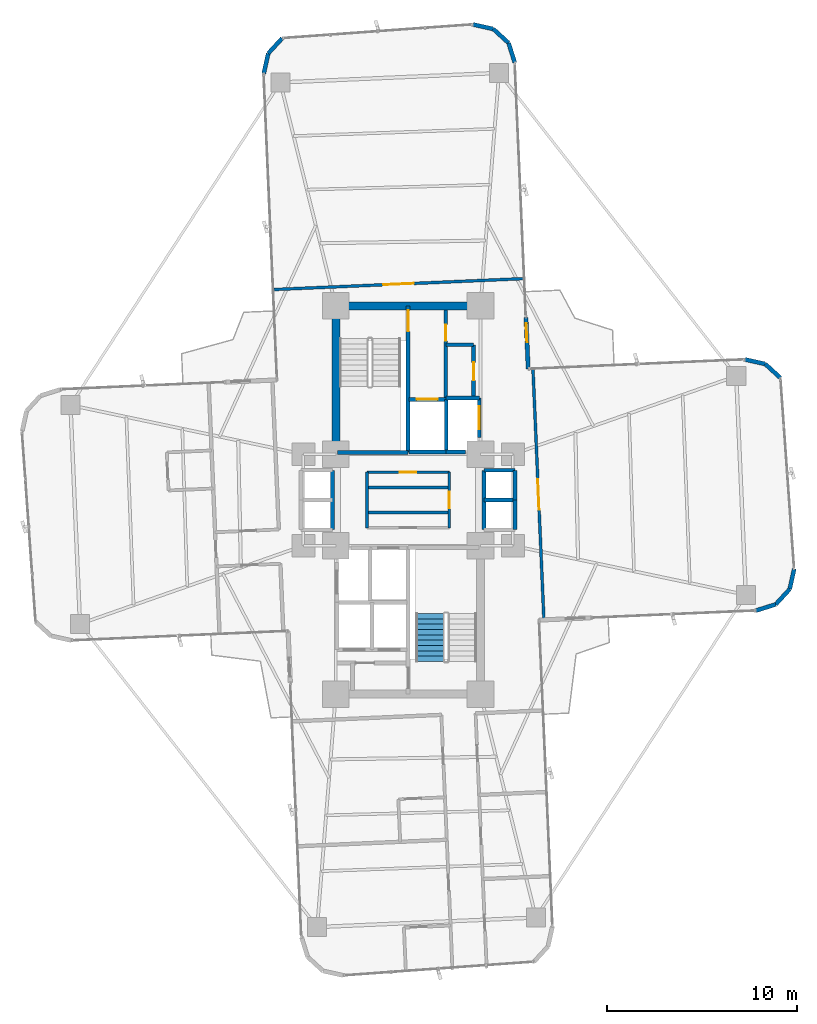
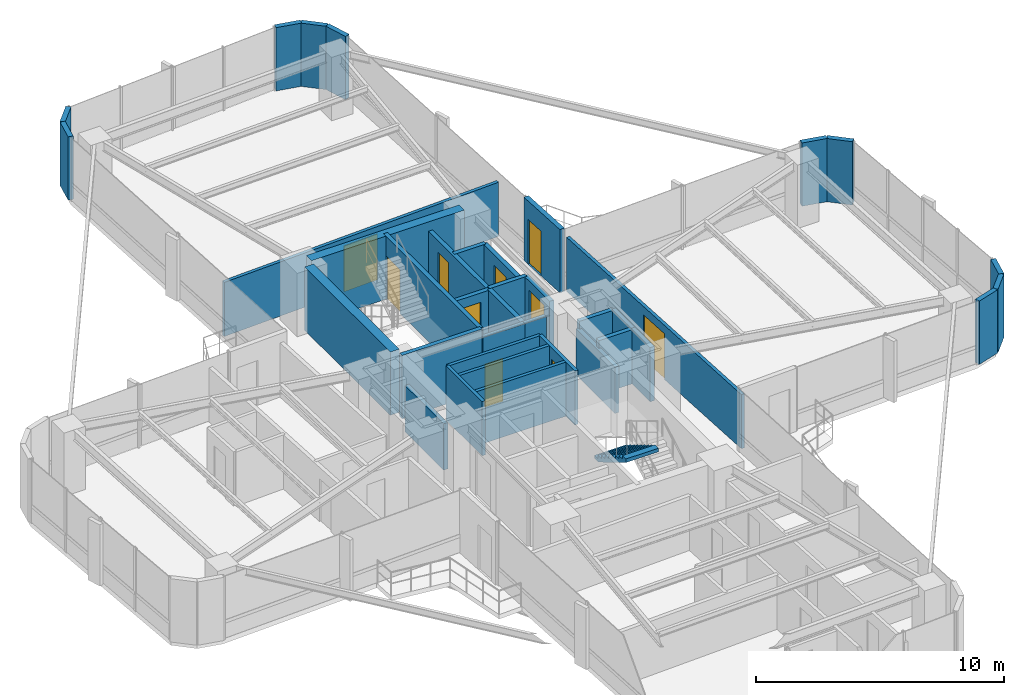
# One storey, part 24 of 26: 37 walls, 10 doors, 1 stair flight, 10 openings, 1 element without a shape of its own.
"""IFC4 building model written with IfcOpenShell, lengths in metres."""

from ifc_helpers import new_model, si_unit, direction, frame, frame_2d, origin, origin_2d, place, context, subcontext, project, spatial, polyline, rectangle, outline, extrude, source, transform, mapped, material, layer, layer_set, type_object, element, fill, aggregate, save


model = new_model("IFC4")

# Units and contexts
model_context = context("Model", 3, precision=1e-05, world=origin(), true_north=direction((0.0, 1.0)))
body_context = subcontext(model_context, "Body", "Model", "MODEL_VIEW")
ifc_project = project(units=[si_unit("LENGTHUNIT", "METRE"), si_unit("AREAUNIT", "SQUARE_METRE"), si_unit("VOLUMEUNIT", "CUBIC_METRE"), si_unit("PLANEANGLEUNIT", "RADIAN"), si_unit("MASSUNIT", "GRAM", prefix="KILO")], contexts=[model_context])

# Site, building, storey
site_placement = place(None, origin())
site = spatial("IfcSite", under=ifc_project, at=site_placement, CompositionType="ELEMENT")
building_placement = place(site_placement, origin())
building = spatial("IfcBuilding", under=site, at=building_placement, Name="Sahyath Konkavel Grand Hotel", CompositionType="ELEMENT")
storey_placement = place(building_placement, frame((0.0, 0.0, 96.89990234375)))
storey = spatial("IfcBuildingStorey", under=building, at=storey_placement, Name="L26", CompositionType="ELEMENT", Elevation=96.89990234375)

# Walls
ifc_material_1 = material(Name="Concrete C50/60", Category="concrete")
ifc_layer_1 = layer(ifc_material_1, 0.419921875)
ifc_layer_set_1 = layer_set([ifc_layer_1], Name="Concrete C50/60")
wall_type_1 = type_object("IfcWallType", Name="CWALL-420", PredefinedType="SHEAR", material=ifc_layer_set_1)
wall_1_placement = place(storey_placement, frame((-3.550048828125, 10.199951171875, 0.0), z_axis=(0.0, 0.0, 1.0), x_axis=(1.0, 0.0, 0.0)))
element("IfcWall", 1, at=wall_1_placement, inside=storey, type_object=wall_type_1, Name="L26 North Core Shear Wall N", PredefinedType="SHEAR", context=body_context, shape_type="SweptSolid", body=[
    extrude(rectangle(XDim=7.10009765625, YDim=0.419921875, at=frame_2d((3.550048828125, 0.0))), origin(), (0.0, 0.0, 1.0), 3.110107421875),
])
wall_2_placement = place(storey_placement, frame((-3.800048828125, 2.85009765625, 0.0), z_axis=(0.0, 0.0, 1.0), x_axis=(0.0, 1.0, 0.0)))
element("IfcWall", 2, at=wall_2_placement, inside=storey, type_object=wall_type_1, Name="L26 North Core Shear Wall W", PredefinedType="SHEAR", context=body_context, shape_type="SweptSolid", body=[
    extrude(rectangle(XDim=6.89990234375, YDim=0.419921875, at=frame_2d((3.449951171875, 0.0))), origin(), (0.0, 0.0, 1.0), 3.110107421875),
])
ifc_material_2 = material(Name="Warm Buff Sandstone Insulated Concrete C40/50", Category="masonry")
ifc_layer_2 = layer(ifc_material_2, 0.219970703125)
ifc_layer_set_2 = layer_set([ifc_layer_2], Name="Warm Buff Sandstone Insulated Concrete C40/50")
wall_type_2 = type_object("IfcWallType", Name="WLL-BALC-THRESH", PredefinedType="STANDARD", material=ifc_layer_set_2)
for number, where, z_axis, x_axis, name in (
    (3, (18.270751953125, -5.80859375, 0.0), (0.0, 0.0, 1.0), (0.953721713582, 0.30069069331, 0.0), "L26 Rounded Corner Sandstone Pier 1"),
    (4, (19.3076171875, -5.481689453125, 0.0), (0.0, 0.0, 1.0), (0.675551721847, 0.737312600672, 0.0), "L26 Rounded Corner Sandstone Pier 2"),
):
    element("IfcWall", number, at=place(storey_placement, frame(where, z_axis=z_axis, x_axis=x_axis)), inside=storey, type_object=wall_type_2, Name=name, PredefinedType="STANDARD", context=body_context, shape_type="SweptSolid", body=[
        extrude(rectangle(XDim=1.087158203125, YDim=0.219970703125, at=frame_2d((0.54345703125, 0.0))), origin(), (0.0, 0.0, 1.0), 3.110107421875),
    ])
for number, where, z_axis, x_axis, name in (
    (5, (20.0419921875, -4.68017578125, 0.0), (0.0, 0.0, 1.0), (0.216288323511, 0.976329535102, 0.0), "L26 Rounded Corner Sandstone Pier 3"),
    (6, (19.5576171875, 6.4091796875, 0.0), (0.0, 0.0, 1.0), (-0.737210081318, 0.675663596772, 0.0), "L26 Rounded Corner Sandstone Pier 5"),
):
    element("IfcWall", number, at=place(storey_placement, frame(where, z_axis=z_axis, x_axis=x_axis)), inside=storey, type_object=wall_type_2, Name=name, PredefinedType="STANDARD", context=body_context, shape_type="SweptSolid", body=[
        extrude(rectangle(XDim=1.0869140625, YDim=0.219970703125, at=frame_2d((0.54345703125, 0.0))), origin(), (0.0, 0.0, 1.0), 3.110107421875),
    ])
wall_3_placement = place(storey_placement, frame((18.75634765625, 7.1435546875, 0.0), z_axis=(0.0, 0.0, 1.0), x_axis=(-0.976282085775, 0.216502399514, 0.0)))
element("IfcWall", 7, at=wall_3_placement, inside=storey, type_object=wall_type_2, Name="L26 Rounded Corner Sandstone Pier 6", PredefinedType="STANDARD", context=body_context, shape_type="SweptSolid", body=[
    extrude(rectangle(XDim=1.087158203125, YDim=0.219970703125, at=frame_2d((0.54345703125, 0.0))), origin(), (0.0, 0.0, 1.0), 3.110107421875),
])

# Wall, opening, door
wall_4_placement = place(storey_placement, frame((6.305908203125, 6.881591796875, 0.0), z_axis=(0.0, 0.0, 1.0), x_axis=(-0.043672655174, 0.999045894436, 0.0)))
wall_4 = element("IfcWall", 8, at=wall_4_placement, inside=storey, type_object=wall_type_2, Name="L26 Winter-Garden Threshold Wall 8", PredefinedType="STANDARD", context=body_context, shape_type="SweptSolid", body=[
    extrude(rectangle(XDim=2.7001953125, YDim=0.219970703125, at=frame_2d((1.35009765625, 0.0))), origin(), (0.0, 0.0, 1.0), 3.110107421875),
])
opening_1_placement = place(wall_4_placement, frame((1.39990234375, 0.0, 0.0)))
opening_1 = element("IfcOpeningElement", 9, at=opening_1_placement, cuts=wall_4, Name="Opening D-TR1", PredefinedType="OPENING", context=body_context, shape_type="SweptSolid", body=[
    extrude(rectangle(XDim=1.0, YDim=2.199951171875, at=frame_2d((0.5, 1.10009765625))), frame((0.0, 0.1201171875, 0.0), z_axis=(0.0, -1.0, 0.0), x_axis=(1.0, 0.0, 0.0)), (0.0, 0.0, 1.0), 0.239990234375),
])
ifc_material_3 = material(Name="Anodised Bronze Aluminium & Low-E Glazing", Category="aluminium")
door_type_1 = type_object("IfcDoorType", Name="DR-TERRACE-1000", OperationType="NOTDEFINED", PredefinedType="DOOR", material=ifc_material_3)
shared_shape_1 = source(origin(), body_context, "Body", "SweptSolid", [
    extrude(rectangle(XDim=1.0, YDim=0.050048828125, at=origin_2d()), origin(), (0.0, 0.0, 1.0), 2.199951171875),
])
door_1_placement = place(opening_1_placement, frame((0.5, 0.0, 0.0)))
door_1 = element("IfcDoor", 10, at=door_1_placement, inside=storey, type_object=door_type_1, Name="L26 Winter-Garden Terrace Door 8", OperationType="SINGLE_SWING_LEFT", OverallHeight=2.199951171875, OverallWidth=1.0, PredefinedType="DOOR", context=body_context, shape_type="MappedRepresentation", body=[
    mapped(shared_shape_1, transform((0.0, 0.0, 0.0), scale=1.0)),
])
fill(opening_1, door_1)

# Walls
wall_5_placement = place(storey_placement, frame((5.603515625, 22.96630859375, 0.0), z_axis=(0.0, 0.0, 1.0), x_axis=(-0.300755105707, 0.953701403161, 0.0)))
element("IfcWall", 11, at=wall_5_placement, inside=storey, type_object=wall_type_2, Name="L26 Rounded Corner Sandstone Pier 9", PredefinedType="STANDARD", context=body_context, shape_type="SweptSolid", body=[
    extrude(rectangle(XDim=1.0869140625, YDim=0.219970703125, at=frame_2d((0.54345703125, 0.0))), origin(), (0.0, 0.0, 1.0), 3.110107421875),
])
wall_6_placement = place(storey_placement, frame((5.276611328125, 24.0029296875, 0.0), z_axis=(0.0, 0.0, 1.0), x_axis=(-0.737312600672, 0.675551721847, 0.0)))
element("IfcWall", 12, at=wall_6_placement, inside=storey, type_object=wall_type_2, Name="L26 Rounded Corner Sandstone Pier 10", PredefinedType="STANDARD", context=body_context, shape_type="SweptSolid", body=[
    extrude(rectangle(XDim=1.087158203125, YDim=0.219970703125, at=frame_2d((0.54345703125, 0.0))), origin(), (0.0, 0.0, 1.0), 3.110107421875),
])
for number, where, z_axis, x_axis, name in (
    (13, (4.47509765625, 24.7373046875, 0.0), (0.0, 0.0, 1.0), (-0.976271555154, 0.216549880158, 0.0), "L26 Rounded Corner Sandstone Pier 11"),
    (14, (-6.6142578125, 24.253173828125, 0.0), (0.0, 0.0, 1.0), (-0.675663596772, -0.737210081318, 0.0), "L26 Rounded Corner Sandstone Pier 13"),
):
    element("IfcWall", number, at=place(storey_placement, frame(where, z_axis=z_axis, x_axis=x_axis)), inside=storey, type_object=wall_type_2, Name=name, PredefinedType="STANDARD", context=body_context, shape_type="SweptSolid", body=[
        extrude(rectangle(XDim=1.0869140625, YDim=0.219970703125, at=frame_2d((0.54345703125, 0.0))), origin(), (0.0, 0.0, 1.0), 3.110107421875),
    ])
wall_7_placement = place(storey_placement, frame((-7.3486328125, 23.451904296875, 0.0), z_axis=(0.0, 0.0, 1.0), x_axis=(-0.216454939174, -0.976292609471, 0.0)))
element("IfcWall", 15, at=wall_7_placement, inside=storey, type_object=wall_type_2, Name="L26 Rounded Corner Sandstone Pier 14", PredefinedType="STANDARD", context=body_context, shape_type="SweptSolid", body=[
    extrude(rectangle(XDim=1.08740234375, YDim=0.219970703125, at=frame_2d((0.543701171875, 0.0))), origin(), (0.0, 0.0, 1.0), 3.110107421875),
])

# Wall, opening, door
ifc_material_4 = material(Name="Concrete C40/50", Category="concrete")
ifc_layer_3 = layer(ifc_material_4, 0.199951171875)
ifc_layer_set_3 = layer_set([ifc_layer_3], Name="Concrete C40/50")
wall_type_3 = type_object("IfcWallType", Name="WLL-CORE-200", PredefinedType="SOLIDWALL", material=ifc_layer_set_3)
wall_8_placement = place(storey_placement, frame((0.0, 2.5, 0.0), z_axis=(0.0, 0.0, 1.0), x_axis=(0.0, 1.0, 0.0)))
wall_8 = element("IfcWall", 16, at=wall_8_placement, inside=storey, type_object=wall_type_3, Name="L26 Stair ST-1 Shaft Wall E", PredefinedType="SOLIDWALL", context=body_context, shape_type="SweptSolid", body=[
    extrude(rectangle(XDim=7.679931640625, YDim=0.199951171875, at=frame_2d((3.83984375, 0.0))), origin(), (0.0, 0.0, 1.0), 3.110107421875),
])
opening_2_placement = place(wall_8_placement, frame((6.360107421875, 0.0, 0.0)))
opening_2 = element("IfcOpeningElement", 17, at=opening_2_placement, cuts=wall_8, Name="Opening D-F12B", PredefinedType="OPENING", context=body_context, shape_type="SweptSolid", body=[
    extrude(rectangle(XDim=1.10009765625, YDim=2.14990234375, at=frame_2d((0.550048828125, 1.074951171875))), frame((0.0, 0.10986328125, 0.0), z_axis=(0.0, -1.0, 0.0), x_axis=(1.0, 0.0, 0.0)), (0.0, 0.0, 1.0), 0.219970703125),
])
ifc_material_5 = material(Name="Steel E350 Smokeproof Fire Door", Category="steel")
door_type_2 = type_object("IfcDoorType", Name="DR-FD120-1100", OperationType="NOTDEFINED", PredefinedType="DOOR", material=ifc_material_5)
shared_shape_2 = source(origin(), body_context, "Body", "SweptSolid", [
    extrude(rectangle(XDim=1.10009765625, YDim=0.050048828125, at=origin_2d()), origin(), (0.0, 0.0, 1.0), 2.14990234375),
])
door_2_placement = place(opening_2_placement, frame((0.550048828125, 0.0, 0.0)))
door_2 = element("IfcDoor", 18, at=door_2_placement, inside=storey, type_object=door_type_2, Name="L26 Stair ST-1 Fire Door", OperationType="SINGLE_SWING_RIGHT", OverallHeight=2.14990234375, OverallWidth=1.10009765625, PredefinedType="DOOR", context=body_context, shape_type="MappedRepresentation", body=[
    mapped(shared_shape_2, transform((0.0, 0.0, 0.0), scale=1.0)),
])
fill(opening_2, door_2)

# Wall
wall_9_placement = place(storey_placement, frame((-3.719970703125, 2.5, 0.0), z_axis=(0.0, 0.0, 1.0), x_axis=(1.0, 0.0, 0.0)))
element("IfcWall", 19, at=wall_9_placement, inside=storey, type_object=wall_type_3, Name="L26 Stair ST-1 Shaft Wall S", PredefinedType="SOLIDWALL", context=body_context, shape_type="SweptSolid", body=[
    extrude(rectangle(XDim=3.719970703125, YDim=0.199951171875, at=frame_2d((1.85986328125, 0.0))), origin(), (0.0, 0.0, 1.0), 3.110107421875),
])

# Wall, opening, door
wall_10_placement = place(storey_placement, frame((1.97998046875, 5.320068359375, 0.0), z_axis=(0.0, 0.0, 1.0), x_axis=(0.0, 1.0, 0.0)))
wall_10 = element("IfcWall", 20, at=wall_10_placement, inside=storey, type_object=wall_type_3, Name="L26 North Firefighting Lobby Wall E", PredefinedType="SOLIDWALL", context=body_context, shape_type="SweptSolid", body=[
    extrude(rectangle(XDim=4.659912109375, YDim=0.199951171875, at=frame_2d((2.330078125, 0.0))), origin(), (0.0, 0.0, 1.0), 2.66015625),
])
opening_3_placement = place(wall_10_placement, frame((3.0400390625, 0.0, 0.0)))
opening_3 = element("IfcOpeningElement", 21, at=opening_3_placement, cuts=wall_10, Name="Opening D-F12D", PredefinedType="OPENING", context=body_context, shape_type="SweptSolid", body=[
    extrude(rectangle(XDim=0.85009765625, YDim=2.10009765625, at=frame_2d((0.425048828125, 1.050048828125))), frame((0.0, 0.10986328125, 0.0), z_axis=(0.0, -1.0, 0.0), x_axis=(1.0, 0.0, 0.0)), (0.0, 0.0, 1.0), 0.219970703125),
])
ifc_material_6 = material(Name="Steel E350 Core Fire Door", Category="steel")
door_type_3 = type_object("IfcDoorType", Name="DR-FD120-850", OperationType="NOTDEFINED", PredefinedType="DOOR", material=ifc_material_6)
shared_shape_3 = source(origin(), body_context, "Body", "SweptSolid", [
    extrude(rectangle(XDim=0.85009765625, YDim=0.050048828125, at=origin_2d()), origin(), (0.0, 0.0, 1.0), 2.10009765625),
])
door_3_placement = place(opening_3_placement, frame((0.425048828125, 0.0, 0.0)))
door_3 = element("IfcDoor", 22, at=door_3_placement, inside=storey, type_object=door_type_3, Name="L26 North Firefighting Lobby Door", OperationType="SINGLE_SWING_RIGHT", OverallHeight=2.10009765625, OverallWidth=0.85009765625, PredefinedType="DOOR", context=body_context, shape_type="MappedRepresentation", body=[
    mapped(shared_shape_3, transform((0.0, 0.0, 0.0), scale=1.0)),
])
fill(opening_3, door_3)

# Walls
wall_11_placement = place(storey_placement, frame((2.0, 2.5, 0.0), z_axis=(0.0, 0.0, 1.0), x_axis=(0.0, 1.0, 0.0)))
element("IfcWall", 23, at=wall_11_placement, inside=storey, type_object=wall_type_3, Name="L26 Partition SH-FFL1-E", PredefinedType="SOLIDWALL", context=body_context, shape_type="SweptSolid", body=[
    extrude(rectangle(XDim=2.780029296875, YDim=0.199951171875, at=frame_2d((1.39013671875, 0.0))), origin(), (0.0, 0.0, 1.0), 2.66015625),
])
wall_12_placement = place(storey_placement, frame((0.050048828125, 2.52001953125, 0.0), z_axis=(0.0, 0.0, 1.0), x_axis=(1.0, 0.0, 0.0)))
element("IfcWall", 24, at=wall_12_placement, inside=storey, type_object=wall_type_3, Name="L26 Partition SH-FFL1-S", PredefinedType="SOLIDWALL", context=body_context, shape_type="SweptSolid", body=[
    extrude(rectangle(XDim=1.949951171875, YDim=0.199951171875, at=frame_2d((0.97509765625, 0.0))), origin(), (0.0, 0.0, 1.0), 2.66015625),
])

# Wall, opening, door
wall_13_placement = place(storey_placement, frame((0.050048828125, 5.280029296875, 0.0), z_axis=(0.0, 0.0, 1.0), x_axis=(1.0, 0.0, 0.0)))
wall_13 = element("IfcWall", 25, at=wall_13_placement, inside=storey, type_object=wall_type_3, Name="L26 Partition SH-FFL1-N", PredefinedType="SOLIDWALL", context=body_context, shape_type="SweptSolid", body=[
    extrude(rectangle(XDim=1.929931640625, YDim=0.199951171875, at=frame_2d((0.96484375, 0.0))), origin(), (0.0, 0.0, 1.0), 2.66015625),
])
opening_4_placement = place(wall_13_placement, frame((0.39990234375, 0.0, 0.0)))
opening_4 = element("IfcOpeningElement", 26, at=opening_4_placement, cuts=wall_13, Name="Opening LD-11", PredefinedType="OPENING", context=body_context, shape_type="SweptSolid", body=[
    extrude(rectangle(XDim=1.10009765625, YDim=2.199951171875, at=frame_2d((0.550048828125, 1.10009765625))), frame((0.0, 0.10986328125, 0.0), z_axis=(0.0, -1.0, 0.0), x_axis=(1.0, 0.0, 0.0)), (0.0, 0.0, 1.0), 0.219970703125),
])
ifc_material_7 = material(Name="Bronze Lift Landing Door 1100")
door_type_4 = type_object("IfcDoorType", Name="DR-LIFT-1100", OperationType="DOUBLE_DOOR_SLIDING", PredefinedType="DOOR", material=ifc_material_7)
shared_shape_4 = source(origin(), body_context, "Body", "SweptSolid", [
    extrude(rectangle(XDim=1.10009765625, YDim=0.050048828125, at=origin_2d()), origin(), (0.0, 0.0, 1.0), 2.199951171875),
])
door_4_placement = place(opening_4_placement, frame((0.550048828125, 0.0, 0.0)))
door_4 = element("IfcDoor", 27, at=door_4_placement, inside=storey, type_object=door_type_4, Name="L26 Lift FFL-1 Landing Door", OperationType="DOUBLE_DOOR_SLIDING", OverallHeight=2.199951171875, OverallWidth=1.10009765625, PredefinedType="DOOR", context=body_context, shape_type="MappedRepresentation", body=[
    mapped(shared_shape_4, transform((0.0, 0.0, 0.0), scale=1.0)),
])
fill(opening_4, door_4)

# Walls
wall_14_placement = place(storey_placement, frame((2.0, 2.52001953125, 0.0), z_axis=(0.0, 0.0, 1.0), x_axis=(1.0, 0.0, 0.0)))
element("IfcWall", 28, at=wall_14_placement, inside=storey, type_object=wall_type_3, Name="L26 Partition SH-SVL1-S", PredefinedType="SOLIDWALL", context=body_context, shape_type="SweptSolid", body=[
    extrude(rectangle(XDim=1.0, YDim=0.199951171875, at=frame_2d((0.5, 0.0))), origin(), (0.0, 0.0, 1.0), 2.66015625),
])
wall_15_placement = place(storey_placement, frame((2.0, 5.360107421875, 0.0), z_axis=(0.0, 0.0, 1.0), x_axis=(1.0, 0.0, 0.0)))
element("IfcWall", 29, at=wall_15_placement, inside=storey, type_object=wall_type_3, Name="L26 Partition SH-SVL1-N", PredefinedType="SOLIDWALL", context=body_context, shape_type="SweptSolid", body=[
    extrude(rectangle(XDim=1.739990234375, YDim=0.199951171875, at=frame_2d((0.8701171875, 0.0))), origin(), (0.0, 0.0, 1.0), 2.66015625),
])

# Wall, opening, door
wall_16_placement = place(storey_placement, frame((3.739990234375, 3.280029296875, 0.0), z_axis=(0.0, 0.0, 1.0), x_axis=(0.0, 1.0, 0.0)))
wall_16 = element("IfcWall", 30, at=wall_16_placement, inside=storey, type_object=wall_type_3, Name="L26 Partition SH-SVL1-E", PredefinedType="SOLIDWALL", context=body_context, shape_type="SweptSolid", body=[
    extrude(rectangle(XDim=2.080078125, YDim=0.199951171875, at=frame_2d((1.0400390625, 0.0))), origin(), (0.0, 0.0, 1.0), 2.66015625),
])
opening_5_placement = place(wall_16_placement, frame((0.43994140625, 0.0, 0.0)))
opening_5 = element("IfcOpeningElement", 31, at=opening_5_placement, cuts=wall_16, Name="Opening LD-12", PredefinedType="OPENING", context=body_context, shape_type="SweptSolid", body=[
    extrude(rectangle(XDim=1.199951171875, YDim=2.199951171875, at=frame_2d((0.60009765625, 1.10009765625))), frame((0.0, 0.10986328125, 0.0), z_axis=(0.0, -1.0, 0.0), x_axis=(1.0, 0.0, 0.0)), (0.0, 0.0, 1.0), 0.219970703125),
])
ifc_material_8 = material(Name="Stainless Steel Lift Landing Door 1200", Category="steel")
door_type_5 = type_object("IfcDoorType", Name="DR-LIFT-1200", OperationType="DOUBLE_DOOR_SLIDING", PredefinedType="DOOR", material=ifc_material_8)
shared_shape_5 = source(origin(), body_context, "Body", "SweptSolid", [
    extrude(rectangle(XDim=1.199951171875, YDim=0.050048828125, at=origin_2d()), origin(), (0.0, 0.0, 1.0), 2.199951171875),
])
door_5_placement = place(opening_5_placement, frame((0.60009765625, 0.0, 0.0)))
door_5 = element("IfcDoor", 32, at=door_5_placement, inside=storey, type_object=door_type_5, Name="L26 Service Lift SVL-1 Landing Door", OperationType="DOUBLE_DOOR_SLIDING", OverallHeight=2.199951171875, OverallWidth=1.199951171875, PredefinedType="DOOR", context=body_context, shape_type="MappedRepresentation", body=[
    mapped(shared_shape_5, transform((0.0, 0.0, 0.0), scale=1.0)),
])
fill(opening_5, door_5)

# Walls
wall_17_placement = place(storey_placement, frame((3.97998046875, -1.56005859375, 0.0), z_axis=(0.0, 0.0, 1.0), x_axis=(0.0, 1.0, 0.0)))
element("IfcWall", 33, at=wall_17_placement, inside=storey, type_object=wall_type_3, Name="L26 Partition SH-PL56-W", PredefinedType="SOLIDWALL", context=body_context, shape_type="SweptSolid", body=[
    extrude(rectangle(XDim=3.1201171875, YDim=0.199951171875, at=frame_2d((1.56005859375, 0.0))), origin(), (0.0, 0.0, 1.0), 2.280029296875),
])
for number, where, z_axis, x_axis, name in (
    (34, (3.97998046875, 1.56005859375, 0.0), (0.0, 0.0, 1.0), (1.0, 0.0, 0.0), "L26 Partition SH-PL56-N"),
    (35, (3.97998046875, 0.0, 0.0), (0.0, 0.0, 1.0), (1.0, 0.0, 0.0), "L26 Partition SH-PL56-M"),
):
    element("IfcWall", number, at=place(storey_placement, frame(where, z_axis=z_axis, x_axis=x_axis)), inside=storey, type_object=wall_type_3, Name=name, PredefinedType="SOLIDWALL", context=body_context, shape_type="SweptSolid", body=[
        extrude(rectangle(XDim=1.64013671875, YDim=0.199951171875, at=frame_2d((0.820068359375, 0.0))), origin(), (0.0, 0.0, 1.0), 2.66015625),
    ])
for number, where, z_axis, x_axis, name in (
    (36, (5.6201171875, 0.0, 0.0), (0.0, 0.0, 1.0), (0.0, 1.0, 0.0), "L26 Partition SH-PL5-E"),
    (37, (5.6201171875, -1.56005859375, 0.0), (0.0, 0.0, 1.0), (0.0, 1.0, 0.0), "L26 Partition SH-PL6-E"),
):
    element("IfcWall", number, at=place(storey_placement, frame(where, z_axis=z_axis, x_axis=x_axis)), inside=storey, type_object=wall_type_3, Name=name, PredefinedType="SOLIDWALL", context=body_context, shape_type="SweptSolid", body=[
        extrude(rectangle(XDim=1.56005859375, YDim=0.199951171875, at=frame_2d((0.780029296875, 0.0))), origin(), (0.0, 0.0, 1.0), 2.66015625),
    ])
wall_18_placement = place(storey_placement, frame((-3.97998046875, -1.56005859375, 0.0), z_axis=(0.0, 0.0, 1.0), x_axis=(0.0, 1.0, 0.0)))
element("IfcWall", 38, at=wall_18_placement, inside=storey, type_object=wall_type_3, Name="L26 Partition SH-SL12-E", PredefinedType="SOLIDWALL", context=body_context, shape_type="SweptSolid", body=[
    extrude(rectangle(XDim=3.1201171875, YDim=0.199951171875, at=frame_2d((1.56005859375, 0.0))), origin(), (0.0, 0.0, 1.0), 2.280029296875),
])

# Wall, opening, door
wall_19_placement = place(storey_placement, frame((3.43994140625, 5.3798828125, 0.0), z_axis=(0.0, 0.0, 1.0), x_axis=(0.0, 1.0, 0.0)))
wall_19 = element("IfcWall", 39, at=wall_19_placement, inside=storey, type_object=wall_type_3, Name="L26 Reclaimed North Core Wall E", PredefinedType="SOLIDWALL", context=body_context, shape_type="SweptSolid", body=[
    extrude(rectangle(XDim=2.77001953125, YDim=0.199951171875, at=frame_2d((1.385009765625, 0.0))), origin(), (0.0, 0.0, 1.0), 2.66015625),
])
opening_6_placement = place(wall_19_placement, frame((0.89990234375, 0.0, 0.0)))
opening_6 = element("IfcOpeningElement", 40, at=opening_6_placement, cuts=wall_19, Name="Opening D-F06B", PredefinedType="OPENING", context=body_context, shape_type="SweptSolid", body=[
    extrude(rectangle(XDim=0.949951171875, YDim=2.14990234375, at=frame_2d((0.47509765625, 1.074951171875))), frame((0.0, 0.10986328125, 0.0), z_axis=(0.0, -1.0, 0.0), x_axis=(1.0, 0.0, 0.0)), (0.0, 0.0, 1.0), 0.219970703125),
])
ifc_material_9 = material(Name="Teak Veneer Fire-Rated Guest Entrance Door")
door_type_6 = type_object("IfcDoorType", Name="DR-FD60-950", OperationType="NOTDEFINED", PredefinedType="DOOR", material=ifc_material_9)
shared_shape_6 = source(origin(), body_context, "Body", "SweptSolid", [
    extrude(rectangle(XDim=0.949951171875, YDim=0.050048828125, at=origin_2d()), origin(), (0.0, 0.0, 1.0), 2.14990234375),
])
door_6_placement = place(opening_6_placement, frame((0.47509765625, 0.0, 0.0)))
door_6 = element("IfcDoor", 41, at=door_6_placement, inside=storey, type_object=door_type_6, Name="L26 Door NC-REC1-D", OperationType="SINGLE_SWING_LEFT", OverallHeight=2.14990234375, OverallWidth=0.949951171875, PredefinedType="DOOR", context=body_context, shape_type="MappedRepresentation", body=[
    mapped(shared_shape_6, transform((0.0, 0.0, 0.0), scale=1.0)),
])
fill(opening_6, door_6)

# Wall
wall_20_placement = place(storey_placement, frame((1.97998046875, 8.14990234375, 0.0), z_axis=(0.0, 0.0, 1.0), x_axis=(1.0, 0.0, 0.0)))
element("IfcWall", 42, at=wall_20_placement, inside=storey, type_object=wall_type_3, Name="L26 Partition NC-REC-N", PredefinedType="SOLIDWALL", context=body_context, shape_type="SweptSolid", body=[
    extrude(rectangle(XDim=1.4599609375, YDim=0.199951171875, at=frame_2d((0.72998046875, 0.0))), origin(), (0.0, 0.0, 1.0), 2.66015625),
])

# Wall, opening, door
ifc_material_10 = material(Name="Fire-Rated Gypsum Plasterboard Partition")
ifc_layer_4 = layer(ifc_material_10, 0.14990234375)
ifc_layer_set_4 = layer_set([ifc_layer_4], Name="Fire-Rated Gypsum Plasterboard Partition")
wall_type_4 = type_object("IfcWallType", Name="WLL-PART-150", PredefinedType="PARTITIONING", material=ifc_layer_set_4)
wall_21_placement = place(storey_placement, frame((2.159912109375, -1.4599609375, 0.0), z_axis=(0.0, 0.0, 1.0), x_axis=(0.0, 1.0, 0.0)))
wall_21 = element("IfcWall", 43, at=wall_21_placement, inside=storey, type_object=wall_type_4, Name="L26 Partition CC-2E", PredefinedType="PARTITIONING", context=body_context, shape_type="SweptSolid", body=[
    extrude(rectangle(XDim=2.919921875, YDim=0.14990234375, at=frame_2d((1.4599609375, 0.0))), origin(), (0.0, 0.0, 1.0), 2.66015625),
])
opening_7_placement = place(wall_21_placement, frame((1.034912109375, 0.0, 0.0)))
opening_7 = element("IfcOpeningElement", 44, at=opening_7_placement, cuts=wall_21, Name="Opening D-F06D", PredefinedType="OPENING", context=body_context, shape_type="SweptSolid", body=[
    extrude(rectangle(XDim=0.85009765625, YDim=2.10009765625, at=frame_2d((0.425048828125, 1.050048828125))), frame((0.0, 0.0849609375, 0.0), z_axis=(0.0, -1.0, 0.0), x_axis=(1.0, 0.0, 0.0)), (0.0, 0.0, 1.0), 0.169921875),
])
ifc_material_11 = material(Name="Fire-Rated Shaft Access Door")
door_type_7 = type_object("IfcDoorType", Name="DR-FD60-850", OperationType="NOTDEFINED", PredefinedType="DOOR", material=ifc_material_11)
door_7_placement = place(opening_7_placement, frame((0.425048828125, 0.0, 0.0)))
door_7 = element("IfcDoor", 45, at=door_7_placement, inside=storey, type_object=door_type_7, Name="L26 Door CC-D2B", OperationType="SINGLE_SWING_LEFT", OverallHeight=2.10009765625, OverallWidth=0.85009765625, PredefinedType="DOOR", context=body_context, shape_type="MappedRepresentation", body=[
    mapped(shared_shape_3, transform((0.0, 0.0, 0.0), scale=1.0)),
])
fill(opening_7, door_7)

# Wall
wall_22_placement = place(storey_placement, frame((-2.159912109375, -1.4599609375, 0.0), z_axis=(0.0, 0.0, 1.0), x_axis=(0.0, 1.0, 0.0)))
element("IfcWall", 46, at=wall_22_placement, inside=storey, type_object=wall_type_4, Name="L26 Partition CC-2W", PredefinedType="PARTITIONING", context=body_context, shape_type="SweptSolid", body=[
    extrude(rectangle(XDim=2.919921875, YDim=0.14990234375, at=frame_2d((1.4599609375, 0.0))), origin(), (0.0, 0.0, 1.0), 2.66015625),
])

# Wall, opening, door
wall_23_placement = place(storey_placement, frame((-2.159912109375, 1.4599609375, 0.0), z_axis=(0.0, 0.0, 1.0), x_axis=(1.0, 0.0, 0.0)))
wall_23 = element("IfcWall", 47, at=wall_23_placement, inside=storey, type_object=wall_type_4, Name="L26 Partition CC-2N", PredefinedType="PARTITIONING", context=body_context, shape_type="SweptSolid", body=[
    extrude(rectangle(XDim=4.31982421875, YDim=0.14990234375, at=frame_2d((2.159912109375, 0.0))), origin(), (0.0, 0.0, 1.0), 2.66015625),
])
opening_8_placement = place(wall_23_placement, frame((1.72998046875, 0.0, 0.0)))
opening_8 = element("IfcOpeningElement", 48, at=opening_8_placement, cuts=wall_23, Name="Opening D-F06D", PredefinedType="OPENING", context=body_context, shape_type="SweptSolid", body=[
    extrude(rectangle(XDim=0.85009765625, YDim=2.10009765625, at=frame_2d((0.425048828125, 1.050048828125))), frame((0.0, 0.0849609375, 0.0), z_axis=(0.0, -1.0, 0.0), x_axis=(1.0, 0.0, 0.0)), (0.0, 0.0, 1.0), 0.169921875),
])
door_8_placement = place(opening_8_placement, frame((0.425048828125, 0.0, 0.0)))
door_8 = element("IfcDoor", 49, at=door_8_placement, inside=storey, type_object=door_type_7, Name="L26 Door CC-D2A", OperationType="SINGLE_SWING_RIGHT", OverallHeight=2.10009765625, OverallWidth=0.85009765625, PredefinedType="DOOR", context=body_context, shape_type="MappedRepresentation", body=[
    mapped(shared_shape_3, transform((0.0, 0.0, 0.0), scale=1.0)),
])
fill(opening_8, door_8)

# Walls
for number, where, z_axis, x_axis, name in (
    (50, (-2.159912109375, 0.659912109375, 0.0), (0.0, 0.0, 1.0), (1.0, 0.0, 0.0), "L26 Partition CC-2M1"),
    (51, (-2.159912109375, -0.659912109375, 0.0), (0.0, 0.0, 1.0), (1.0, 0.0, 0.0), "L26 Partition CC-2M2"),
):
    element("IfcWall", number, at=place(storey_placement, frame(where, z_axis=z_axis, x_axis=x_axis)), inside=storey, type_object=wall_type_4, Name=name, PredefinedType="PARTITIONING", context=body_context, shape_type="SweptSolid", body=[
        extrude(rectangle(XDim=4.31982421875, YDim=0.14990234375, at=frame_2d((2.159912109375, 0.0))), origin(), (0.0, 0.0, 1.0), 2.66015625),
    ])

# Wall, opening, door
wall_24_placement = place(storey_placement, frame((7.129150390625, -6.2451171875, 0.0), z_axis=(0.0, 0.0, 1.0), x_axis=(-0.043609488494, 0.999048653727, 0.0)))
wall_24 = element("IfcWall", 52, at=wall_24_placement, inside=storey, type_object=wall_type_4, Name="L26 Partition E-SAL-IN", PredefinedType="PARTITIONING", context=body_context, shape_type="SweptSolid", body=[
    extrude(rectangle(XDim=13.10009765625, YDim=0.14990234375, at=frame_2d((6.550048828125, 0.0))), origin(), (0.0, 0.0, 1.0), 2.66015625),
])
opening_9_placement = place(wall_24_placement, frame((5.75, 0.0, 0.0)))
opening_9 = element("IfcOpeningElement", 53, at=opening_9_placement, cuts=wall_24, Name="Opening D-DB16", PredefinedType="OPENING", context=body_context, shape_type="SweptSolid", body=[
    extrude(rectangle(XDim=1.60009765625, YDim=2.25, at=frame_2d((0.800048828125, 1.125))), frame((0.0, 0.0849609375, 0.0), z_axis=(0.0, -1.0, 0.0), x_axis=(1.0, 0.0, 0.0)), (0.0, 0.0, 1.0), 0.169921875),
])
ifc_material_12 = material(Name="Double Leaf Lounge Glazed Timber Door", Category="wood")
door_type_8 = type_object("IfcDoorType", Name="DR-DBL-1600", OperationType="DOUBLE_DOOR_SINGLE_SWING", PredefinedType="DOOR", material=ifc_material_12)
shared_shape_7 = source(origin(), body_context, "Body", "SweptSolid", [
    extrude(rectangle(XDim=1.60009765625, YDim=0.050048828125, at=origin_2d()), origin(), (0.0, 0.0, 1.0), 2.25),
])
door_9_placement = place(opening_9_placement, frame((0.800048828125, 0.0, 0.0)))
door_9 = element("IfcDoor", 54, at=door_9_placement, inside=storey, type_object=door_type_8, Name="L26 Door E-SAL-D", OperationType="DOUBLE_DOOR_SINGLE_SWING", OverallHeight=2.25, OverallWidth=1.60009765625, PredefinedType="DOOR", context=body_context, shape_type="MappedRepresentation", body=[
    mapped(shared_shape_7, transform((0.0, 0.0, 0.0), scale=1.0)),
])
fill(opening_9, door_9)

wall_25_placement = place(storey_placement, frame((6.048583984375, 11.625, 0.0), z_axis=(0.0, 0.0, 1.0), x_axis=(-0.999047806124, -0.043628901879, 0.0)))
wall_25 = element("IfcWall", 55, at=wall_25_placement, inside=storey, type_object=wall_type_4, Name="L26 Partition N-SAL-IN", PredefinedType="PARTITIONING", context=body_context, shape_type="SweptSolid", body=[
    extrude(rectangle(XDim=13.099853515625, YDim=0.14990234375, at=frame_2d((6.5498046875, 0.0))), origin(), (0.0, 0.0, 1.0), 2.66015625),
])
opening_10_placement = place(wall_25_placement, frame((5.75, 0.0, 0.0)))
opening_10 = element("IfcOpeningElement", 56, at=opening_10_placement, cuts=wall_25, Name="Opening D-DB16", PredefinedType="OPENING", context=body_context, shape_type="SweptSolid", body=[
    extrude(rectangle(XDim=1.60009765625, YDim=2.25, at=frame_2d((0.800048828125, 1.125))), frame((0.0, 0.0849609375, 0.0), z_axis=(0.0, -1.0, 0.0), x_axis=(1.0, 0.0, 0.0)), (0.0, 0.0, 1.0), 0.169921875),
])
door_10_placement = place(opening_10_placement, frame((0.800048828125, 0.0, 0.0)))
door_10 = element("IfcDoor", 57, at=door_10_placement, inside=storey, type_object=door_type_8, Name="L26 Door N-SAL-D", OperationType="DOUBLE_DOOR_SINGLE_SWING", OverallHeight=2.25, OverallWidth=1.60009765625, PredefinedType="DOOR", context=body_context, shape_type="MappedRepresentation", body=[
    mapped(shared_shape_7, transform((0.0, 0.0, 0.0), scale=1.0)),
])
fill(opening_10, door_10)

# Stair, stair flight
stair_type = type_object("IfcStairType", Name="STR-ST16-335", PredefinedType="HALF_TURN_STAIR", material=ifc_material_4)
stair_placement = place(storey_placement, origin())
stair = element("IfcStair", 58, at=stair_placement, inside=storey, type_object=stair_type, Name="L26 South Core Smokeproof Exit Stair ST-2", PredefinedType="HALF_TURN_STAIR")
stair_flight_type = type_object("IfcStairFlightType", Name="STF-ST16-335", PredefinedType="STRAIGHT", material=ifc_material_4)
stair_flight_placement = place(storey_placement, frame((1.159912109375, -5.9599609375, 1.675048828125), z_axis=(0.0, 0.0, 1.0), x_axis=(0.0, -1.0, 0.0)))
stair_flight = element("IfcStairFlight", 59, at=stair_flight_placement, type_object=stair_flight_type, Name="ST-2 flight 2", NumberOfRisers=10, NumberOfTreads=9, PredefinedType="STRAIGHT", RiserHeight=0.1675, TreadLength=0.28, context=body_context, shape_type="SweptSolid", body=[
    extrude(outline(polyline([(0.0, 0.0), (0.0, 0.16748046875), (0.280029296875, 0.16748046875), (0.280029296875, 0.3349609375), (0.56005859375, 0.3349609375), (0.56005859375, 0.50244140625), (0.840087890625, 0.50244140625), (0.840087890625, 0.669921875), (1.1201171875, 0.669921875), (1.1201171875, 0.83740234375), (1.39990234375, 0.83740234375), (1.39990234375, 1.0048828125), (1.679931640625, 1.0048828125), (1.679931640625, 1.172607421875), (1.9599609375, 1.172607421875), (1.9599609375, 1.340087890625), (2.239990234375, 1.340087890625), (2.239990234375, 1.507568359375), (2.52001953125, 1.507568359375), (2.52001953125, 1.675048828125), (2.52001953125, 1.332763671875), (0.2919921875, 0.0), (0.0, 0.0)])), frame((0.0, 0.760009765625, 0.0), z_axis=(0.0, -1.0, 0.0), x_axis=(1.0, 0.0, 0.0)), (0.0, 0.0, 1.0), 1.52001953125),
])
aggregate(stair, [stair_flight])

save(model, "model.ifc")
